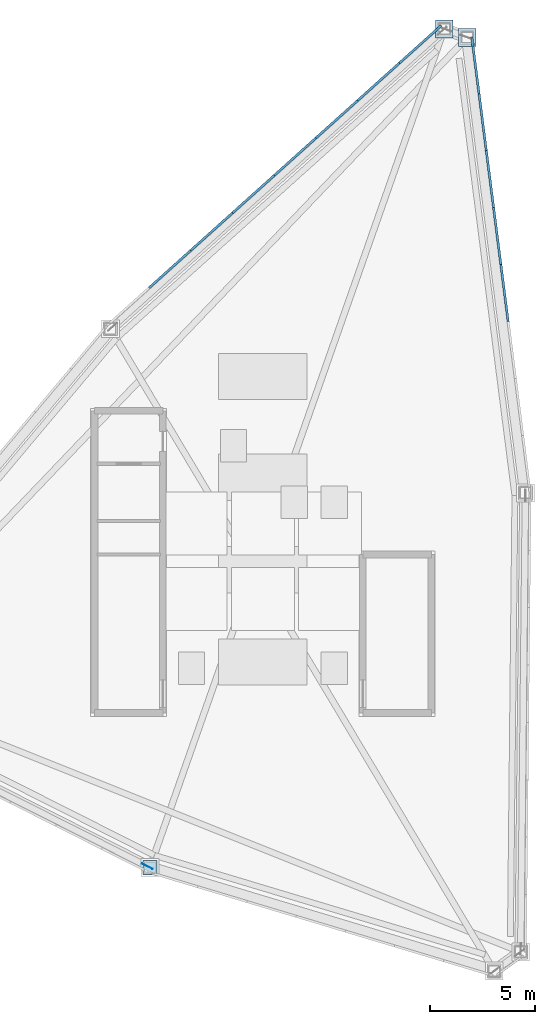
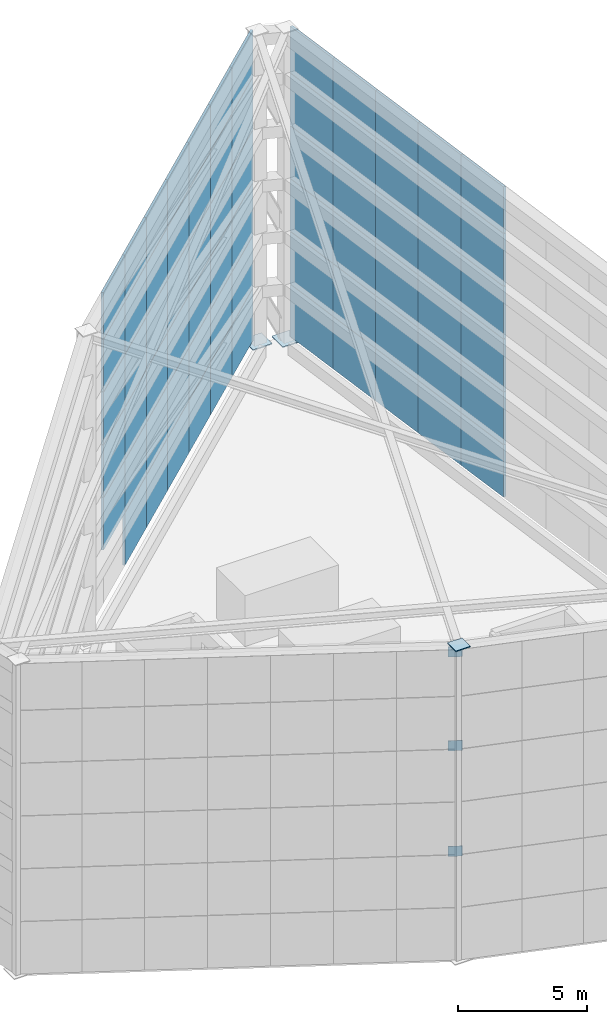
# One storey, part 4 of 9: 77 plates.
"""IFC4 building model written with IfcOpenShell, lengths in metres."""

from ifc_helpers import new_model, si_unit, direction, frame, origin, origin_2d, place, context, subcontext, project, spatial, rectangle, extrude, source, transform, mapped, material, type_object, element, save


model = new_model("IFC4")

# Units and contexts
model_context = context("Model", 3, precision=1e-05, world=origin(), true_north=direction((0.0, 1.0)))
body_context = subcontext(model_context, "Body", "Model", "MODEL_VIEW")
ifc_project = project(units=[si_unit("LENGTHUNIT", "METRE"), si_unit("AREAUNIT", "SQUARE_METRE"), si_unit("VOLUMEUNIT", "CUBIC_METRE"), si_unit("PLANEANGLEUNIT", "RADIAN"), si_unit("MASSUNIT", "GRAM", prefix="KILO")], contexts=[model_context])

# Site, building, storey
site_placement = place(None, origin())
site = spatial("IfcSite", under=ifc_project, at=site_placement, CompositionType="ELEMENT")
building_placement = place(site_placement, origin())
building = spatial("IfcBuilding", under=site, at=building_placement, Name="Olszyna Solenne Hotel", CompositionType="ELEMENT")
storey_placement = place(building_placement, frame((0.0, 0.0, 295.0)))
storey = spatial("IfcBuildingStorey", under=building, at=storey_placement, Name="Roof Crown", CompositionType="ELEMENT", Elevation=295.0)

# Plates
ifc_material_1 = material(Name="Steel S460M", Category="steel")
plate_type_1 = type_object("IfcPlateType", Name="GP-CAP1", PredefinedType="USERDEFINED", material=ifc_material_1)
shared_shape_1 = source(origin(), body_context, "Body", "SweptSolid", [
    extrude(rectangle(XDim=0.659912109375, YDim=0.659912109375, at=origin_2d()), origin(), (0.0, 0.0, 1.0), 0.0400390625),
])
plate_placement = place(storey_placement, frame((32.621337890625, 12.012451171875, 14.719970703125), z_axis=(0.0, 0.0, 1.0), x_axis=(1.0, 0.0, 0.0)))
element("IfcPlate", 1, at=plate_placement, inside=storey, type_object=plate_type_1, Name="Hollow section end-cap plate GP-CAP1 CP-CFTOP-6-2", ObjectType="GUSSET_PLATE", PredefinedType="USERDEFINED", context=body_context, shape_type="MappedRepresentation", body=[
    mapped(shared_shape_1, transform((0.0, 0.0, 0.0), x_axis=(1.0, 0.0, 0.0), y_axis=(0.0, 1.0, 0.0), z_axis=(0.0, 0.0, 1.0), scale=1.0)),
])
ifc_material_2 = material(Name="Steel S355J2", Category="steel")
plate_type_2 = type_object("IfcPlateType", Name="GP-ND2", PredefinedType="USERDEFINED", material=ifc_material_2)
shared_shape_2 = source(origin(), body_context, "Body", "SweptSolid", [
    extrude(rectangle(XDim=0.56005859375, YDim=0.02001953125, at=origin_2d()), origin(), (0.0, 0.0, 1.0), 0.47998046875),
])
for number, where, z_axis, x_axis, name in (
    (2, (32.497802734375, 12.074951171875, 4.73974609375), (0.0, 0.0, 1.0), (0.892743150022, -0.450565941999, 0.0), "Brace end connection gusset plate GP-ND2 EP-CF-BR-T2-2-2"),
    (3, (32.497802734375, 12.074951171875, 9.73974609375), (0.0, 0.0, 1.0), (0.892743150022, -0.450565941999, 0.0), "Brace end connection gusset plate GP-ND2 EP-CF-BR-T4-2-2"),
    (4, (32.497314453125, 12.0751953125, 14.184326171875), (0.0, 0.0, 1.0), (0.892743150022, -0.450565941999, 0.0), "Brace end connection gusset plate GP-ND2 EP-CF-BR-T6-2-2"),
):
    element("IfcPlate", number, at=place(storey_placement, frame(where, z_axis=z_axis, x_axis=x_axis)), inside=storey, type_object=plate_type_2, Name=name, ObjectType="GUSSET_PLATE", PredefinedType="USERDEFINED", context=body_context, shape_type="MappedRepresentation", body=[
        mapped(shared_shape_2, transform((0.0, 0.0, 0.0), x_axis=(1.0, 0.0, 0.0), y_axis=(0.0, 1.0, 0.0), z_axis=(0.0, 0.0, 1.0), scale=1.0)),
    ])
plate_type_3 = type_object("IfcPlateType", Name="GP-BP1", PredefinedType="USERDEFINED", material=ifc_material_1)
shared_shape_3 = source(origin(), body_context, "Body", "SweptSolid", [
    extrude(rectangle(XDim=0.85009765625, YDim=0.85009765625, at=origin_2d()), origin(), (0.0, 0.0, 1.0), 0.050048828125),
])
for number, where, z_axis, x_axis, name in (
    (5, (47.73046875, 51.541015625, -0.0498046875), (0.0, 0.0, 1.0), (1.0, 0.0, 0.0), "Crown frame baseplate GP-BP1 BP-CF-01"),
    (6, (46.6376953125, 51.9462890625, -0.0498046875), (0.0, 0.0, 1.0), (1.0, 0.0, 0.0), "Crown frame baseplate GP-BP1 BP-CF-02"),
):
    element("IfcPlate", number, at=place(storey_placement, frame(where, z_axis=z_axis, x_axis=x_axis)), inside=storey, type_object=plate_type_3, Name=name, ObjectType="GUSSET_PLATE", PredefinedType="USERDEFINED", context=body_context, shape_type="MappedRepresentation", body=[
        mapped(shared_shape_3, transform((0.0, 0.0, 0.0), x_axis=(1.0, 0.0, 0.0), y_axis=(0.0, 1.0, 0.0), z_axis=(0.0, 0.0, 1.0), scale=1.0)),
    ])
ifc_material_3 = material(Name="Terracotta cladding", Category="masonry")
plate_type_4 = type_object("IfcPlateType", Name="SC-CR1", PredefinedType="USERDEFINED", material=ifc_material_3)
shared_shape_4 = source(origin(), body_context, "Body", "SweptSolid", [
    extrude(rectangle(XDim=2.732666015625, YDim=0.110107421875, at=origin_2d()), origin(), (0.0, 0.0, 1.0), 2.47998046875),
])
for number, where, z_axis, x_axis, name in (
    (7, (48.121826171875, 50.21337890625, 0.010009765625), (0.0, 0.0, 1.0), (0.12671836439, -0.991938736075, 0.0), "Terracotta perforated crown screen panel SC-CR1 SCR-T1-241"),
    (8, (48.46826171875, 47.5029296875, 0.010009765625), (0.0, 0.0, 1.0), (0.12671836439, -0.991938736075, 0.0), "Terracotta perforated crown screen panel SC-CR1 SCR-T1-242"),
    (9, (48.814697265625, 44.79248046875, 0.010009765625), (0.0, 0.0, 1.0), (0.12671836439, -0.991938736075, 0.0), "Terracotta perforated crown screen panel SC-CR1 SCR-T1-243"),
    (10, (49.1611328125, 42.08203125, 0.010009765625), (0.0, 0.0, 1.0), (0.12671836439, -0.991938736075, 0.0), "Terracotta perforated crown screen panel SC-CR1 SCR-T1-244"),
    (11, (49.5078125, 39.371337890625, 0.010009765625), (0.0, 0.0, 1.0), (0.12671836439, -0.991938736075, 0.0), "Terracotta perforated crown screen panel SC-CR1 SCR-T1-245"),
    (12, (48.121826171875, 50.21337890625, 2.510009765625), (0.0, 0.0, 1.0), (0.12671836439, -0.991938736075, 0.0), "Terracotta perforated crown screen panel SC-CR1 SCR-T2-249"),
    (13, (48.46826171875, 47.5029296875, 2.510009765625), (0.0, 0.0, 1.0), (0.12671836439, -0.991938736075, 0.0), "Terracotta perforated crown screen panel SC-CR1 SCR-T2-250"),
    (14, (48.814697265625, 44.79248046875, 2.510009765625), (0.0, 0.0, 1.0), (0.12671836439, -0.991938736075, 0.0), "Terracotta perforated crown screen panel SC-CR1 SCR-T2-251"),
    (15, (49.1611328125, 42.08203125, 2.510009765625), (0.0, 0.0, 1.0), (0.12671836439, -0.991938736075, 0.0), "Terracotta perforated crown screen panel SC-CR1 SCR-T2-252"),
    (16, (49.5078125, 39.371337890625, 2.510009765625), (0.0, 0.0, 1.0), (0.12671836439, -0.991938736075, 0.0), "Terracotta perforated crown screen panel SC-CR1 SCR-T2-253"),
    (17, (48.121826171875, 50.21337890625, 5.010009765625), (0.0, 0.0, 1.0), (0.12671836439, -0.991938736075, 0.0), "Terracotta perforated crown screen panel SC-CR1 SCR-T3-257"),
    (18, (48.46826171875, 47.5029296875, 5.010009765625), (0.0, 0.0, 1.0), (0.12671836439, -0.991938736075, 0.0), "Terracotta perforated crown screen panel SC-CR1 SCR-T3-258"),
    (19, (48.814697265625, 44.79248046875, 5.010009765625), (0.0, 0.0, 1.0), (0.12671836439, -0.991938736075, 0.0), "Terracotta perforated crown screen panel SC-CR1 SCR-T3-259"),
    (20, (49.1611328125, 42.08203125, 5.010009765625), (0.0, 0.0, 1.0), (0.12671836439, -0.991938736075, 0.0), "Terracotta perforated crown screen panel SC-CR1 SCR-T3-260"),
    (21, (49.5078125, 39.371337890625, 5.010009765625), (0.0, 0.0, 1.0), (0.12671836439, -0.991938736075, 0.0), "Terracotta perforated crown screen panel SC-CR1 SCR-T3-261"),
    (22, (48.121826171875, 50.21337890625, 7.510009765625), (0.0, 0.0, 1.0), (0.12671836439, -0.991938736075, 0.0), "Terracotta perforated crown screen panel SC-CR1 SCR-T4-265"),
    (23, (48.46826171875, 47.5029296875, 7.510009765625), (0.0, 0.0, 1.0), (0.12671836439, -0.991938736075, 0.0), "Terracotta perforated crown screen panel SC-CR1 SCR-T4-266"),
    (24, (48.814697265625, 44.79248046875, 7.510009765625), (0.0, 0.0, 1.0), (0.12671836439, -0.991938736075, 0.0), "Terracotta perforated crown screen panel SC-CR1 SCR-T4-267"),
    (25, (49.1611328125, 42.08203125, 7.510009765625), (0.0, 0.0, 1.0), (0.12671836439, -0.991938736075, 0.0), "Terracotta perforated crown screen panel SC-CR1 SCR-T4-268"),
    (26, (49.5078125, 39.371337890625, 7.510009765625), (0.0, 0.0, 1.0), (0.12671836439, -0.991938736075, 0.0), "Terracotta perforated crown screen panel SC-CR1 SCR-T4-269"),
    (27, (48.121826171875, 50.21337890625, 10.010009765625), (0.0, 0.0, 1.0), (0.12671836439, -0.991938736075, 0.0), "Terracotta perforated crown screen panel SC-CR1 SCR-T5-273"),
    (28, (48.46826171875, 47.5029296875, 10.010009765625), (0.0, 0.0, 1.0), (0.12671836439, -0.991938736075, 0.0), "Terracotta perforated crown screen panel SC-CR1 SCR-T5-274"),
    (29, (48.814697265625, 44.79248046875, 10.010009765625), (0.0, 0.0, 1.0), (0.12671836439, -0.991938736075, 0.0), "Terracotta perforated crown screen panel SC-CR1 SCR-T5-275"),
    (30, (49.1611328125, 42.08203125, 10.010009765625), (0.0, 0.0, 1.0), (0.12671836439, -0.991938736075, 0.0), "Terracotta perforated crown screen panel SC-CR1 SCR-T5-276"),
    (31, (49.5078125, 39.371337890625, 10.010009765625), (0.0, 0.0, 1.0), (0.12671836439, -0.991938736075, 0.0), "Terracotta perforated crown screen panel SC-CR1 SCR-T5-277"),
):
    element("IfcPlate", number, at=place(storey_placement, frame(where, z_axis=z_axis, x_axis=x_axis)), inside=storey, type_object=plate_type_4, Name=name, ObjectType="SCREEN_PLATE", PredefinedType="USERDEFINED", context=body_context, shape_type="MappedRepresentation", body=[
        mapped(shared_shape_4, transform((0.0, 0.0, 0.0), x_axis=(1.0, 0.0, 0.0), y_axis=(0.0, 1.0, 0.0), z_axis=(0.0, 0.0, 1.0), scale=1.0)),
    ])
shared_shape_5 = source(origin(), body_context, "Body", "SweptSolid", [
    extrude(rectangle(XDim=2.732666015625, YDim=0.110107421875, at=origin_2d()), origin(), (0.0, 0.0, 1.0), 2.199951171875),
])
for number, where, z_axis, x_axis, name in (
    (32, (48.121826171875, 50.21337890625, 12.51025390625), (0.0, 0.0, 1.0), (0.12671836439, -0.991938736075, 0.0), "Terracotta perforated crown screen panel SC-CR1 SCR-T6-281"),
    (33, (48.46826171875, 47.5029296875, 12.51025390625), (0.0, 0.0, 1.0), (0.12671836439, -0.991938736075, 0.0), "Terracotta perforated crown screen panel SC-CR1 SCR-T6-282"),
    (34, (48.814697265625, 44.79248046875, 12.51025390625), (0.0, 0.0, 1.0), (0.12671836439, -0.991938736075, 0.0), "Terracotta perforated crown screen panel SC-CR1 SCR-T6-283"),
    (35, (49.1611328125, 42.08203125, 12.51025390625), (0.0, 0.0, 1.0), (0.12671836439, -0.991938736075, 0.0), "Terracotta perforated crown screen panel SC-CR1 SCR-T6-284"),
    (36, (49.5078125, 39.371337890625, 12.51025390625), (0.0, 0.0, 1.0), (0.12671836439, -0.991938736075, 0.0), "Terracotta perforated crown screen panel SC-CR1 SCR-T6-285"),
):
    element("IfcPlate", number, at=place(storey_placement, frame(where, z_axis=z_axis, x_axis=x_axis)), inside=storey, type_object=plate_type_4, Name=name, ObjectType="SCREEN_PLATE", PredefinedType="USERDEFINED", context=body_context, shape_type="MappedRepresentation", body=[
        mapped(shared_shape_5, transform((0.0, 0.0, 0.0), x_axis=(1.0, 0.0, 0.0), y_axis=(0.0, 1.0, 0.0), z_axis=(0.0, 0.0, 1.0), scale=1.0)),
    ])
shared_shape_6 = source(origin(), body_context, "Body", "SweptSolid", [
    extrude(rectangle(XDim=2.6708984375, YDim=0.110107421875, at=origin_2d()), origin(), (0.0, 0.0, 1.0), 2.47998046875),
])
for number, where, z_axis, x_axis, name in (
    (37, (35.56103515625, 42.293701171875, 0.010009765625), (0.0, 0.0, 1.0), (0.74396176791, 0.668222184522, 0.0), "Terracotta perforated crown screen panel SC-CR1 SCR-T1-195"),
    (38, (37.548095703125, 44.07861328125, 0.010009765625), (0.0, 0.0, 1.0), (0.74396176791, 0.668222184522, 0.0), "Terracotta perforated crown screen panel SC-CR1 SCR-T1-196"),
    (39, (39.535400390625, 45.86328125, 0.010009765625), (0.0, 0.0, 1.0), (0.74396176791, 0.668222184522, 0.0), "Terracotta perforated crown screen panel SC-CR1 SCR-T1-197"),
    (40, (41.522705078125, 47.64794921875, 0.010009765625), (0.0, 0.0, 1.0), (0.74396176791, 0.668222184522, 0.0), "Terracotta perforated crown screen panel SC-CR1 SCR-T1-198"),
    (41, (43.509765625, 49.432861328125, 0.010009765625), (0.0, 0.0, 1.0), (0.74396176791, 0.668222184522, 0.0), "Terracotta perforated crown screen panel SC-CR1 SCR-T1-199"),
    (42, (45.4970703125, 51.217529296875, 0.010009765625), (0.0, 0.0, 1.0), (0.74396176791, 0.668222184522, 0.0), "Terracotta perforated crown screen panel SC-CR1 SCR-T1-200"),
    (43, (33.57373046875, 40.5087890625, 2.510009765625), (0.0, 0.0, 1.0), (0.74396176791, 0.668222184522, 0.0), "Terracotta perforated crown screen panel SC-CR1 SCR-T2-202"),
    (44, (35.56103515625, 42.293701171875, 2.510009765625), (0.0, 0.0, 1.0), (0.74396176791, 0.668222184522, 0.0), "Terracotta perforated crown screen panel SC-CR1 SCR-T2-203"),
    (45, (37.548095703125, 44.07861328125, 2.510009765625), (0.0, 0.0, 1.0), (0.74396176791, 0.668222184522, 0.0), "Terracotta perforated crown screen panel SC-CR1 SCR-T2-204"),
    (46, (39.535400390625, 45.86328125, 2.510009765625), (0.0, 0.0, 1.0), (0.74396176791, 0.668222184522, 0.0), "Terracotta perforated crown screen panel SC-CR1 SCR-T2-205"),
    (47, (41.522705078125, 47.64794921875, 2.510009765625), (0.0, 0.0, 1.0), (0.74396176791, 0.668222184522, 0.0), "Terracotta perforated crown screen panel SC-CR1 SCR-T2-206"),
    (48, (43.509765625, 49.432861328125, 2.510009765625), (0.0, 0.0, 1.0), (0.74396176791, 0.668222184522, 0.0), "Terracotta perforated crown screen panel SC-CR1 SCR-T2-207"),
    (49, (45.4970703125, 51.217529296875, 2.510009765625), (0.0, 0.0, 1.0), (0.74396176791, 0.668222184522, 0.0), "Terracotta perforated crown screen panel SC-CR1 SCR-T2-208"),
    (50, (33.57373046875, 40.5087890625, 5.010009765625), (0.0, 0.0, 1.0), (0.74396176791, 0.668222184522, 0.0), "Terracotta perforated crown screen panel SC-CR1 SCR-T3-210"),
    (51, (35.56103515625, 42.293701171875, 5.010009765625), (0.0, 0.0, 1.0), (0.74396176791, 0.668222184522, 0.0), "Terracotta perforated crown screen panel SC-CR1 SCR-T3-211"),
    (52, (37.548095703125, 44.07861328125, 5.010009765625), (0.0, 0.0, 1.0), (0.74396176791, 0.668222184522, 0.0), "Terracotta perforated crown screen panel SC-CR1 SCR-T3-212"),
    (53, (39.535400390625, 45.86328125, 5.010009765625), (0.0, 0.0, 1.0), (0.74396176791, 0.668222184522, 0.0), "Terracotta perforated crown screen panel SC-CR1 SCR-T3-213"),
    (54, (41.522705078125, 47.64794921875, 5.010009765625), (0.0, 0.0, 1.0), (0.74396176791, 0.668222184522, 0.0), "Terracotta perforated crown screen panel SC-CR1 SCR-T3-214"),
    (55, (43.509765625, 49.432861328125, 5.010009765625), (0.0, 0.0, 1.0), (0.74396176791, 0.668222184522, 0.0), "Terracotta perforated crown screen panel SC-CR1 SCR-T3-215"),
    (56, (45.4970703125, 51.217529296875, 5.010009765625), (0.0, 0.0, 1.0), (0.74396176791, 0.668222184522, 0.0), "Terracotta perforated crown screen panel SC-CR1 SCR-T3-216"),
    (57, (33.57373046875, 40.5087890625, 7.510009765625), (0.0, 0.0, 1.0), (0.74396176791, 0.668222184522, 0.0), "Terracotta perforated crown screen panel SC-CR1 SCR-T4-218"),
    (58, (35.56103515625, 42.293701171875, 7.510009765625), (0.0, 0.0, 1.0), (0.74396176791, 0.668222184522, 0.0), "Terracotta perforated crown screen panel SC-CR1 SCR-T4-219"),
    (59, (37.548095703125, 44.07861328125, 7.510009765625), (0.0, 0.0, 1.0), (0.74396176791, 0.668222184522, 0.0), "Terracotta perforated crown screen panel SC-CR1 SCR-T4-220"),
    (60, (39.535400390625, 45.86328125, 7.510009765625), (0.0, 0.0, 1.0), (0.74396176791, 0.668222184522, 0.0), "Terracotta perforated crown screen panel SC-CR1 SCR-T4-221"),
    (61, (41.522705078125, 47.64794921875, 7.510009765625), (0.0, 0.0, 1.0), (0.74396176791, 0.668222184522, 0.0), "Terracotta perforated crown screen panel SC-CR1 SCR-T4-222"),
    (62, (43.509765625, 49.432861328125, 7.510009765625), (0.0, 0.0, 1.0), (0.74396176791, 0.668222184522, 0.0), "Terracotta perforated crown screen panel SC-CR1 SCR-T4-223"),
    (63, (45.4970703125, 51.217529296875, 7.510009765625), (0.0, 0.0, 1.0), (0.74396176791, 0.668222184522, 0.0), "Terracotta perforated crown screen panel SC-CR1 SCR-T4-224"),
    (64, (33.57373046875, 40.5087890625, 10.010009765625), (0.0, 0.0, 1.0), (0.74396176791, 0.668222184522, 0.0), "Terracotta perforated crown screen panel SC-CR1 SCR-T5-226"),
    (65, (35.56103515625, 42.293701171875, 10.010009765625), (0.0, 0.0, 1.0), (0.74396176791, 0.668222184522, 0.0), "Terracotta perforated crown screen panel SC-CR1 SCR-T5-227"),
    (66, (37.548095703125, 44.07861328125, 10.010009765625), (0.0, 0.0, 1.0), (0.74396176791, 0.668222184522, 0.0), "Terracotta perforated crown screen panel SC-CR1 SCR-T5-228"),
    (67, (39.535400390625, 45.86328125, 10.010009765625), (0.0, 0.0, 1.0), (0.74396176791, 0.668222184522, 0.0), "Terracotta perforated crown screen panel SC-CR1 SCR-T5-229"),
    (68, (41.522705078125, 47.64794921875, 10.010009765625), (0.0, 0.0, 1.0), (0.74396176791, 0.668222184522, 0.0), "Terracotta perforated crown screen panel SC-CR1 SCR-T5-230"),
    (69, (43.509765625, 49.432861328125, 10.010009765625), (0.0, 0.0, 1.0), (0.74396176791, 0.668222184522, 0.0), "Terracotta perforated crown screen panel SC-CR1 SCR-T5-231"),
    (70, (45.4970703125, 51.217529296875, 10.010009765625), (0.0, 0.0, 1.0), (0.74396176791, 0.668222184522, 0.0), "Terracotta perforated crown screen panel SC-CR1 SCR-T5-232"),
):
    element("IfcPlate", number, at=place(storey_placement, frame(where, z_axis=z_axis, x_axis=x_axis)), inside=storey, type_object=plate_type_4, Name=name, ObjectType="SCREEN_PLATE", PredefinedType="USERDEFINED", context=body_context, shape_type="MappedRepresentation", body=[
        mapped(shared_shape_6, transform((0.0, 0.0, 0.0), x_axis=(1.0, 0.0, 0.0), y_axis=(0.0, 1.0, 0.0), z_axis=(0.0, 0.0, 1.0), scale=1.0)),
    ])
shared_shape_7 = source(origin(), body_context, "Body", "SweptSolid", [
    extrude(rectangle(XDim=2.6708984375, YDim=0.110107421875, at=origin_2d()), origin(), (0.0, 0.0, 1.0), 2.199951171875),
])
for number, where, z_axis, x_axis, name in (
    (71, (33.57373046875, 40.5087890625, 12.51025390625), (0.0, 0.0, 1.0), (0.74396176791, 0.668222184522, 0.0), "Terracotta perforated crown screen panel SC-CR1 SCR-T6-234"),
    (72, (35.56103515625, 42.293701171875, 12.51025390625), (0.0, 0.0, 1.0), (0.74396176791, 0.668222184522, 0.0), "Terracotta perforated crown screen panel SC-CR1 SCR-T6-235"),
    (73, (37.548095703125, 44.07861328125, 12.51025390625), (0.0, 0.0, 1.0), (0.74396176791, 0.668222184522, 0.0), "Terracotta perforated crown screen panel SC-CR1 SCR-T6-236"),
    (74, (39.535400390625, 45.86328125, 12.51025390625), (0.0, 0.0, 1.0), (0.74396176791, 0.668222184522, 0.0), "Terracotta perforated crown screen panel SC-CR1 SCR-T6-237"),
    (75, (41.522705078125, 47.64794921875, 12.51025390625), (0.0, 0.0, 1.0), (0.74396176791, 0.668222184522, 0.0), "Terracotta perforated crown screen panel SC-CR1 SCR-T6-238"),
    (76, (43.509765625, 49.432861328125, 12.51025390625), (0.0, 0.0, 1.0), (0.74396176791, 0.668222184522, 0.0), "Terracotta perforated crown screen panel SC-CR1 SCR-T6-239"),
    (77, (45.4970703125, 51.217529296875, 12.51025390625), (0.0, 0.0, 1.0), (0.74396176791, 0.668222184522, 0.0), "Terracotta perforated crown screen panel SC-CR1 SCR-T6-240"),
):
    element("IfcPlate", number, at=place(storey_placement, frame(where, z_axis=z_axis, x_axis=x_axis)), inside=storey, type_object=plate_type_4, Name=name, ObjectType="SCREEN_PLATE", PredefinedType="USERDEFINED", context=body_context, shape_type="MappedRepresentation", body=[
        mapped(shared_shape_7, transform((0.0, 0.0, 0.0), x_axis=(1.0, 0.0, 0.0), y_axis=(0.0, 1.0, 0.0), z_axis=(0.0, 0.0, 1.0), scale=1.0)),
    ])

save(model, "model.ifc")
